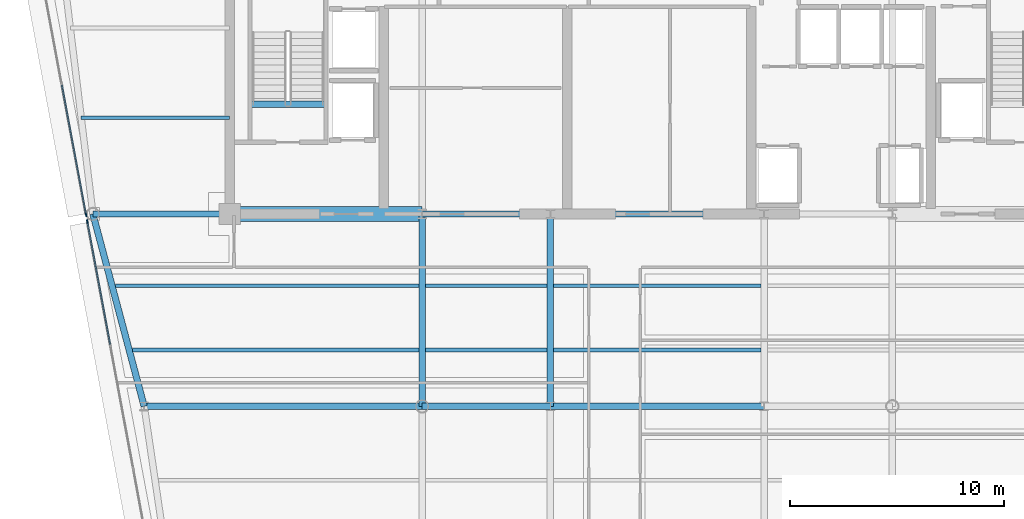
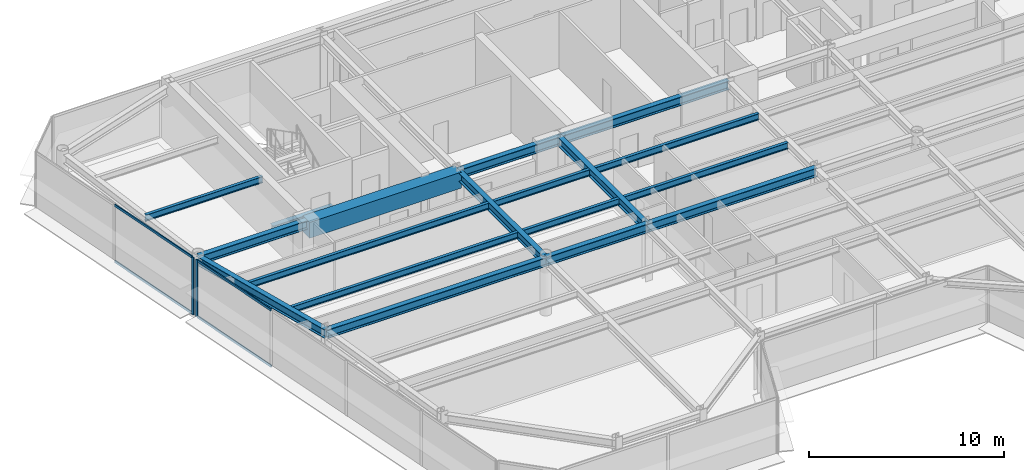
# One storey, part 4 of 18: 18 beams, 6 members, 2 elements without a shape of their own.
"""IFC4 building model written with IfcOpenShell, lengths in metres."""

from ifc_helpers import new_model, si_unit, direction, frame, origin, origin_2d, place, context, subcontext, project, spatial, rectangle, i_section, extrude, source, transform, mapped, material, layer, layer_set, material_profile, profile_set, type_object, element, aggregate, save


model = new_model("IFC4")

# Units and contexts
model_context = context("Model", 3, precision=1e-05, world=origin(), true_north=direction((0.0, 1.0)))
body_context = subcontext(model_context, "Body", "Model", "MODEL_VIEW")
ifc_project = project(units=[si_unit("LENGTHUNIT", "METRE"), si_unit("AREAUNIT", "SQUARE_METRE"), si_unit("VOLUMEUNIT", "CUBIC_METRE"), si_unit("PLANEANGLEUNIT", "RADIAN"), si_unit("MASSUNIT", "GRAM", prefix="KILO")], contexts=[model_context])

# Site, building, storey
site_placement = place(None, origin())
site = spatial("IfcSite", under=ifc_project, at=site_placement, CompositionType="ELEMENT")
building_placement = place(site_placement, origin())
building = spatial("IfcBuilding", under=site, at=building_placement, Name="Vaeldorn Concourse Tower", CompositionType="ELEMENT")
storey_placement = place(building_placement, frame((0.0, 0.0, 261.199951171875)))
storey = spatial("IfcBuildingStorey", under=building, at=storey_placement, Name="L67", CompositionType="ELEMENT", Elevation=261.199951171875)

# Beams
ifc_material_1 = material(Name="Concrete C50/60", Category="concrete")
ifc_material_profile_1 = material_profile(ifc_material_1, rectangle(XDim=0.699951171875, YDim=1.0, at=origin_2d()), Name="RC 700x1000")
ifc_profile_set_1 = profile_set([ifc_material_profile_1], Name="Concrete C50/60")
beam_type_1 = type_object("IfcBeamType", Name="BM-CB-RC700", PredefinedType="BEAM", material=ifc_profile_set_1)
shared_shape_1 = source(origin(), body_context, "Body", "SweptSolid", [
    extrude(rectangle(XDim=0.699951171875, YDim=1.0, at=origin_2d()), origin(), (0.0, 0.0, 1.0), 9.0),
])
beam_1_placement = place(storey_placement, frame((14.0, 36.5, 3.080078125), z_axis=(1.0, 0.0, 0.0), x_axis=(0.0, 1.0, 0.0)))
element("IfcBeam", 1, at=beam_1_placement, inside=storey, type_object=beam_type_1, Name="Core Coupling Beam L67-1", PredefinedType="BEAM", context=body_context, shape_type="MappedRepresentation", body=[
    mapped(shared_shape_1, transform((0.0, 0.0, 0.0), scale=1.0)),
])
ifc_material_2 = material(Name="Steel S355", Category="steel")
ifc_material_profile_2 = material_profile(ifc_material_2, i_section(OverallWidth=0.300048828125, OverallDepth=0.340087890625, WebThickness=0.011962890625, FlangeThickness=0.021484375, FilletRadius=0.027099609375, at=origin_2d()), Name="HEB 340")
ifc_profile_set_2 = profile_set([ifc_material_profile_2], Name="Steel S355")
beam_type_2 = type_object("IfcBeamType", Name="BM-ST-TRIM", PredefinedType="BEAM", material=ifc_profile_set_2)
shared_shape_2 = source(origin(), body_context, "Body", "SweptSolid", [
    extrude(i_section(OverallWidth=0.300048828125, OverallDepth=0.340087890625, WebThickness=0.011962890625, FlangeThickness=0.021484375, FilletRadius=0.027099609375, at=origin_2d()), origin(), (0.0, 0.0, 1.0), 3.590087890625),
])
beam_2_placement = place(storey_placement, frame((14.929931640625, 41.639892578125, -0.389892578125), z_axis=(1.0, 0.0, 0.0), x_axis=(0.0, 1.0, 0.0)))
element("IfcBeam", 2, at=beam_2_placement, inside=storey, type_object=beam_type_2, Name="Stair Landing Trimmer Beam ST-1 L67", PredefinedType="BEAM", context=body_context, shape_type="MappedRepresentation", body=[
    mapped(shared_shape_2, transform((0.0, 0.0, 0.0), scale=1.0)),
])
ifc_material_profile_3 = material_profile(ifc_material_2, i_section(OverallWidth=0.179931640625, OverallDepth=0.39990234375, WebThickness=0.008544921875, FlangeThickness=0.013427734375, FilletRadius=0.02099609375, at=origin_2d()), Name="IPE 400")
ifc_profile_set_3 = profile_set([ifc_material_profile_3], Name="Steel S355")
beam_type_3 = type_object("IfcBeamType", Name="BM-JS-IPE400", PredefinedType="JOIST", material=ifc_profile_set_3)
shared_shape_3 = source(origin(), body_context, "Body", "SweptSolid", [
    extrude(i_section(OverallWidth=0.179931640625, OverallDepth=0.39990234375, WebThickness=0.008544921875, FlangeThickness=0.013427734375, FilletRadius=0.02099609375, at=origin_2d()), origin(), (0.0, 0.0, 1.0), 5.7001953125),
])
for number, where, z_axis, x_axis, name in (
    (3, (23.14990234375, 30.139892578125, 3.380126953125), (1.0, 0.0, 0.0), (0.0, 1.0, 0.0), "Beam JS-L67-W2-301"),
    (4, (23.14990234375, 33.139892578125, 3.380126953125), (1.0, 0.0, 0.0), (0.0, 1.0, 0.0), "Beam JS-L67-W2-331"),
):
    element("IfcBeam", number, at=place(storey_placement, frame(where, z_axis=z_axis, x_axis=x_axis)), inside=storey, type_object=beam_type_3, Name=name, PredefinedType="JOIST", context=body_context, shape_type="MappedRepresentation", body=[
        mapped(shared_shape_3, transform((0.0, 0.0, 0.0), scale=1.0)),
    ])
shared_shape_4 = source(origin(), body_context, "Body", "SweptSolid", [
    extrude(i_section(OverallWidth=0.179931640625, OverallDepth=0.39990234375, WebThickness=0.008544921875, FlangeThickness=0.013427734375, FilletRadius=0.02099609375, at=origin_2d()), origin(), (0.0, 0.0, 1.0), 9.7001953125),
])
for number, where, z_axis, x_axis, name in (
    (5, (29.14990234375, 30.139892578125, 3.380126953125), (1.0, 0.0, 0.0), (0.0, 1.0, 0.0), "Beam JS-L67-C-301"),
    (6, (29.14990234375, 33.139892578125, 3.380126953125), (1.0, 0.0, 0.0), (0.0, 1.0, 0.0), "Beam JS-L67-C-331"),
):
    element("IfcBeam", number, at=place(storey_placement, frame(where, z_axis=z_axis, x_axis=x_axis)), inside=storey, type_object=beam_type_3, Name=name, PredefinedType="JOIST", context=body_context, shape_type="MappedRepresentation", body=[
        mapped(shared_shape_4, transform((0.0, 0.0, 0.0), scale=1.0)),
    ])
shared_shape_5 = source(origin(), body_context, "Body", "SweptSolid", [
    extrude(i_section(OverallWidth=0.179931640625, OverallDepth=0.39990234375, WebThickness=0.008544921875, FlangeThickness=0.013427734375, FilletRadius=0.02099609375, at=origin_2d()), origin(), (0.0, 0.0, 1.0), 6.94775390625),
])
beam_3_placement = place(storey_placement, frame((7.05224609375, 41.0, 3.380126953125), z_axis=(1.0, 0.0, 0.0), x_axis=(0.0, 1.0, 0.0)))
element("IfcBeam", 7, at=beam_3_placement, inside=storey, type_object=beam_type_3, Name="Beam JS-L67-NW-410", PredefinedType="JOIST", context=body_context, shape_type="MappedRepresentation", body=[
    mapped(shared_shape_5, transform((0.0, 0.0, 0.0), scale=1.0)),
])
shared_shape_6 = source(origin(), body_context, "Body", "SweptSolid", [
    extrude(i_section(OverallWidth=0.179931640625, OverallDepth=0.39990234375, WebThickness=0.008544921875, FlangeThickness=0.013427734375, FilletRadius=0.02099609375, at=origin_2d()), origin(), (0.0, 0.0, 1.0), 13.404052734375),
])
beam_4_placement = place(storey_placement, frame((9.446044921875, 30.139892578125, 3.380126953125), z_axis=(1.0, 0.0, 0.0), x_axis=(0.0, 1.0, 0.0)))
element("IfcBeam", 8, at=beam_4_placement, inside=storey, type_object=beam_type_3, Name="Beam JS-L67-W1-301", PredefinedType="JOIST", context=body_context, shape_type="MappedRepresentation", body=[
    mapped(shared_shape_6, transform((0.0, 0.0, 0.0), scale=1.0)),
])
shared_shape_7 = source(origin(), body_context, "Body", "SweptSolid", [
    extrude(i_section(OverallWidth=0.179931640625, OverallDepth=0.39990234375, WebThickness=0.008544921875, FlangeThickness=0.013427734375, FilletRadius=0.02099609375, at=origin_2d()), origin(), (0.0, 0.0, 1.0), 14.2041015625),
])
beam_5_placement = place(storey_placement, frame((8.64599609375, 33.139892578125, 3.380126953125), z_axis=(1.0, 0.0, 0.0), x_axis=(0.0, 1.0, 0.0)))
element("IfcBeam", 9, at=beam_5_placement, inside=storey, type_object=beam_type_3, Name="Beam JS-L67-W1-331", PredefinedType="JOIST", context=body_context, shape_type="MappedRepresentation", body=[
    mapped(shared_shape_7, transform((0.0, 0.0, 0.0), scale=1.0)),
])
ifc_material_profile_4 = material_profile(ifc_material_2, i_section(OverallWidth=0.300048828125, OverallDepth=0.550048828125, WebThickness=0.014892578125, FlangeThickness=0.029052734375, FilletRadius=0.027099609375, at=origin_2d()), Name="HEB 550")
ifc_profile_set_4 = profile_set([ifc_material_profile_4], Name="Steel S355")
beam_type_4 = type_object("IfcBeamType", Name="BM-PG-HEB550", PredefinedType="BEAM", material=ifc_profile_set_4)
shared_shape_8 = source(origin(), body_context, "Body", "SweptSolid", [
    extrude(i_section(OverallWidth=0.300048828125, OverallDepth=0.550048828125, WebThickness=0.014892578125, FlangeThickness=0.029052734375, FilletRadius=0.027099609375, at=origin_2d()), origin(), (0.0, 0.0, 1.0), 6.0),
])
for number, where, z_axis, x_axis, name in (
    (10, (23.0, 36.5, 3.304931640625), (1.0, 0.0, 0.0), (0.0, 1.0, 0.0), "Beam BM-L67-C-FC2-C-FC3"),
    (11, (23.0, 27.5, 3.304931640625), (1.0, 0.0, 0.0), (0.0, 1.0, 0.0), "Beam BM-L67-C-TW1-C-TW2"),
):
    element("IfcBeam", number, at=place(storey_placement, frame(where, z_axis=z_axis, x_axis=x_axis)), inside=storey, type_object=beam_type_4, Name=name, PredefinedType="BEAM", context=body_context, shape_type="MappedRepresentation", body=[
        mapped(shared_shape_8, transform((0.0, 0.0, 0.0), scale=1.0)),
    ])
shared_shape_9 = source(origin(), body_context, "Body", "SweptSolid", [
    extrude(i_section(OverallWidth=0.300048828125, OverallDepth=0.550048828125, WebThickness=0.014892578125, FlangeThickness=0.029052734375, FilletRadius=0.027099609375, at=origin_2d()), origin(), (0.0, 0.0, 1.0), 10.0),
])
for number, where, z_axis, x_axis, name in (
    (12, (29.0, 36.5, 3.304931640625), (1.0, 0.0, 0.0), (0.0, 1.0, 0.0), "Beam BM-L67-C-FC3-C-FC4"),
    (13, (29.0, 27.5, 3.304931640625), (1.0, 0.0, 0.0), (0.0, 1.0, 0.0), "Beam BM-L67-C-TW2-C-TW3"),
):
    element("IfcBeam", number, at=place(storey_placement, frame(where, z_axis=z_axis, x_axis=x_axis)), inside=storey, type_object=beam_type_4, Name=name, PredefinedType="BEAM", context=body_context, shape_type="MappedRepresentation", body=[
        mapped(shared_shape_9, transform((0.0, 0.0, 0.0), scale=1.0)),
    ])
shared_shape_10 = source(origin(), body_context, "Body", "SweptSolid", [
    extrude(i_section(OverallWidth=0.300048828125, OverallDepth=0.550048828125, WebThickness=0.014892578125, FlangeThickness=0.029052734375, FilletRadius=0.027099609375, at=origin_2d()), origin(), (0.0, 0.0, 1.0), 9.0),
])
for number, where, z_axis, x_axis, name in (
    (14, (23.0, 27.5, 3.304931640625), (0.0, 1.0, 0.0), (-1.0, 0.0, 0.0), "Beam BM-L67-C-TW1-C-FC2"),
    (15, (29.0, 27.5, 3.304931640625), (0.0, 1.0, 0.0), (-1.0, 0.0, 0.0), "Beam BM-L67-C-TW2-C-FC3"),
):
    element("IfcBeam", number, at=place(storey_placement, frame(where, z_axis=z_axis, x_axis=x_axis)), inside=storey, type_object=beam_type_4, Name=name, PredefinedType="BEAM", context=body_context, shape_type="MappedRepresentation", body=[
        mapped(shared_shape_10, transform((0.0, 0.0, 0.0), scale=1.0)),
    ])
shared_shape_11 = source(origin(), body_context, "Body", "SweptSolid", [
    extrude(i_section(OverallWidth=0.300048828125, OverallDepth=0.550048828125, WebThickness=0.014892578125, FlangeThickness=0.029052734375, FilletRadius=0.027099609375, at=origin_2d()), origin(), (0.0, 0.0, 1.0), 6.39990234375),
])
beam_6_placement = place(storey_placement, frame((7.60009765625, 36.5, 3.304931640625), z_axis=(1.0, 0.0, 0.0), x_axis=(0.0, 1.0, 0.0)))
element("IfcBeam", 16, at=beam_6_placement, inside=storey, type_object=beam_type_4, Name="Beam BM-L67-C-NW2-C-FC1", PredefinedType="BEAM", context=body_context, shape_type="MappedRepresentation", body=[
    mapped(shared_shape_11, transform((0.0, 0.0, 0.0), scale=1.0)),
])
shared_shape_12 = source(origin(), body_context, "Body", "SweptSolid", [
    extrude(i_section(OverallWidth=0.300048828125, OverallDepth=0.550048828125, WebThickness=0.014892578125, FlangeThickness=0.029052734375, FilletRadius=0.027099609375, at=origin_2d()), origin(), (0.0, 0.0, 1.0), 9.314453125),
])
beam_7_placement = place(storey_placement, frame((7.60009765625, 36.5, 3.304931640625), z_axis=(0.257652862255, -0.966237549763, 0.0), x_axis=(0.966237549763, 0.257652862255, 0.0)))
element("IfcBeam", 17, at=beam_7_placement, inside=storey, type_object=beam_type_4, Name="Beam BM-L67-C-NW2-C-FLW1", PredefinedType="BEAM", context=body_context, shape_type="MappedRepresentation", body=[
    mapped(shared_shape_12, transform((0.0, 0.0, 0.0), scale=1.0)),
])
shared_shape_13 = source(origin(), body_context, "Body", "SweptSolid", [
    extrude(i_section(OverallWidth=0.300048828125, OverallDepth=0.550048828125, WebThickness=0.014892578125, FlangeThickness=0.029052734375, FilletRadius=0.027099609375, at=origin_2d()), origin(), (0.0, 0.0, 1.0), 13.0),
])
beam_8_placement = place(storey_placement, frame((10.0, 27.5, 3.304931640625), z_axis=(1.0, 0.0, 0.0), x_axis=(0.0, 1.0, 0.0)))
element("IfcBeam", 18, at=beam_8_placement, inside=storey, type_object=beam_type_4, Name="Beam BM-L67-C-FLW1-C-TW1", PredefinedType="BEAM", context=body_context, shape_type="MappedRepresentation", body=[
    mapped(shared_shape_13, transform((0.0, 0.0, 0.0), scale=1.0)),
])

# Curtain wall, member
ifc_material_3 = material(Name="Anodised Bronze Aluminium", Category="aluminium")
ifc_layer = layer(ifc_material_3, 0.179931640625)
ifc_layer_set = layer_set([ifc_layer], Name="Anodised Bronze Aluminium")
curtain_wall_type = type_object("IfcCurtainWallType", Name="CW-SYS-05", PredefinedType="NOTDEFINED", material=ifc_layer_set)
curtain_wall_1_placement = place(storey_placement, origin())
curtain_wall_1 = element("IfcCurtainWall", 19, at=curtain_wall_1_placement, inside=storey, type_object=curtain_wall_type, Name="Unitised Curtain Wall CW-L67-E11-1", PredefinedType="NOTDEFINED")
ifc_material_profile_5 = material_profile(ifc_material_3, rectangle(XDim=0.06494140625, YDim=0.169921875, at=origin_2d()), Name="CWM 65x170")
ifc_profile_set_5 = profile_set([ifc_material_profile_5], Name="Anodised Bronze Aluminium")
member_type_1 = type_object("IfcMemberType", Name="CWM-BRONZE-170", PredefinedType="MULLION", material=ifc_profile_set_5)
shared_shape_14 = source(origin(), body_context, "Body", "SweptSolid", [
    extrude(rectangle(XDim=0.06494140625, YDim=0.169921875, at=origin_2d()), origin(), (0.0, 0.0, 1.0), 3.580078125),
])
member_1_placement = place(storey_placement, frame((7.279052734375, 36.460205078125, 0.0), z_axis=(0.0, 0.0, 1.0), x_axis=(0.983102768025, 0.183054493257, 0.0)))
member_1 = element("IfcMember", 20, at=member_1_placement, type_object=member_type_1, Name="CW-05 mullion 3", PredefinedType="MULLION", context=body_context, shape_type="MappedRepresentation", body=[
    mapped(shared_shape_14, transform((0.0, 0.0, 0.0), scale=1.0)),
])

# Curtain wall, members
curtain_wall_2_placement = place(storey_placement, origin())
curtain_wall_2 = element("IfcCurtainWall", 21, at=curtain_wall_2_placement, inside=storey, type_object=curtain_wall_type, Name="Unitised Curtain Wall CW-L67-E11-2", PredefinedType="NOTDEFINED")
member_2_placement = place(storey_placement, frame((7.336181640625, 36.153076171875, 0.0), z_axis=(0.0, 0.0, 1.0), x_axis=(0.983102653673, 0.18305510739, 0.0)))
member_2 = element("IfcMember", 22, at=member_2_placement, type_object=member_type_1, Name="CW-05 mullion 1", PredefinedType="MULLION", context=body_context, shape_type="MappedRepresentation", body=[
    mapped(shared_shape_14, transform((0.0, 0.0, 0.0), scale=1.0)),
])
ifc_material_profile_6 = material_profile(ifc_material_3, rectangle(XDim=0.06494140625, YDim=0.14990234375, at=origin_2d()), Name="CWT 65x150")
ifc_profile_set_6 = profile_set([ifc_material_profile_6], Name="Anodised Bronze Aluminium")
member_type_2 = type_object("IfcMemberType", Name="CWT-BRONZE-150", PredefinedType="USERDEFINED", material=ifc_profile_set_6)
shared_shape_15 = source(origin(), body_context, "Body", "SweptSolid", [
    extrude(rectangle(XDim=0.06494140625, YDim=0.14990234375, at=origin_2d()), origin(), (0.0, 0.0, 1.0), 5.82373046875),
])
member_3_placement = place(storey_placement, frame((7.34228515625, 36.12109375, 0.032470703125), z_axis=(0.183030414843, -0.983107251139, 0.0), x_axis=(0.983107251139, 0.183030414843, 0.0)))
member_3 = element("IfcMember", 23, at=member_3_placement, type_object=member_type_2, Name="CW-05 transom 1.1", ObjectType="TRANSOM", PredefinedType="USERDEFINED", context=body_context, shape_type="MappedRepresentation", body=[
    mapped(shared_shape_15, transform((0.0, 0.0, 0.0), scale=1.0)),
])
member_4_placement = place(storey_placement, frame((7.34228515625, 36.12109375, 3.547607421875), z_axis=(0.183030414843, -0.983107251139, 0.0), x_axis=(0.983107251139, 0.183030414843, 0.0)))
member_4 = element("IfcMember", 24, at=member_4_placement, type_object=member_type_2, Name="CW-05 transom 1.2", ObjectType="TRANSOM", PredefinedType="USERDEFINED", context=body_context, shape_type="MappedRepresentation", body=[
    mapped(shared_shape_15, transform((0.0, 0.0, 0.0), scale=1.0)),
])
aggregate(curtain_wall_2, [member_2, member_3, member_4])

# Member
shared_shape_16 = source(origin(), body_context, "Body", "SweptSolid", [
    extrude(rectangle(XDim=0.06494140625, YDim=0.14990234375, at=origin_2d()), origin(), (0.0, 0.0, 1.0), 6.143798828125),
])
member_5_placement = place(storey_placement, frame((6.1484375, 42.5322265625, 0.032470703125), z_axis=(0.183069583935, -0.983099958009, 0.0), x_axis=(0.983099958009, 0.183069583935, 0.0)))
member_5 = element("IfcMember", 25, at=member_5_placement, type_object=member_type_2, Name="CW-05 transom 2.1", ObjectType="TRANSOM", PredefinedType="USERDEFINED", context=body_context, shape_type="MappedRepresentation", body=[
    mapped(shared_shape_16, transform((0.0, 0.0, 0.0), scale=1.0)),
])

member_6_placement = place(storey_placement, frame((6.1484375, 42.5322265625, 3.547607421875), z_axis=(0.183069583935, -0.983099958009, 0.0), x_axis=(0.983099958009, 0.183069583935, 0.0)))
member_6 = element("IfcMember", 26, at=member_6_placement, type_object=member_type_2, Name="CW-05 transom 2.2", ObjectType="TRANSOM", PredefinedType="USERDEFINED", context=body_context, shape_type="MappedRepresentation", body=[
    mapped(shared_shape_16, transform((0.0, 0.0, 0.0), scale=1.0)),
])

aggregate(curtain_wall_1, [member_1, member_5, member_6])

save(model, "model.ifc")
